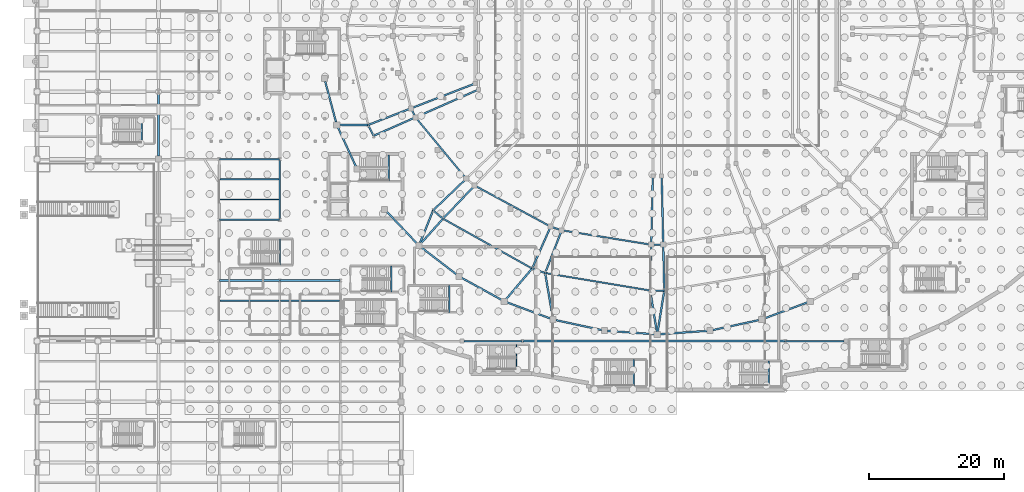
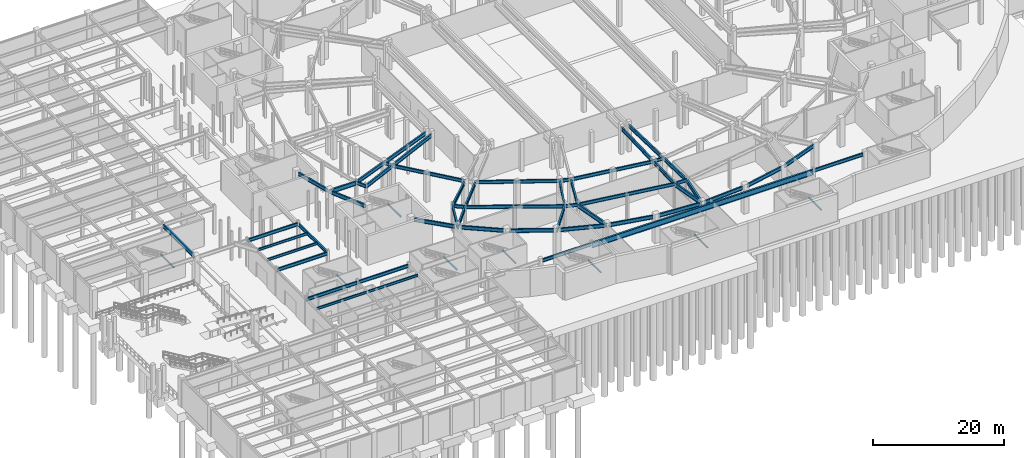
# One storey, part 33 of 56: 63 beams.
"""IFC4 building model written with IfcOpenShell, lengths in metres."""

import ifcopenshell
import ifcopenshell.guid

model = None  # the IFC model being written
_history = None  # IfcOwnerHistory: only IFC2X3 demands one
_inside = {}  # id of a spatial element -> (the spatial element, [elements in it])
_under = {}  # id of a project, library or spatial element -> (it, [spatial elements below it])
_declared = {}  # id of a project -> (the project, [libraries it declares])
_typed = {}  # id of a type object -> (the type object, [elements of that type])
_made_of = {}  # id of a material, layer set ... -> (it, [elements and type objects made of it])


def new_model(schema):
    """Start an empty IFC model of exactly this schema.

    Asked for "IFC4X3", IfcOpenShell would pick the latest addendum, in which some entities
    have other attributes; the version numbers below select the first issue.
    IFC2X3 requires an IfcOwnerHistory on every rooted entity: one is made here for all.
    """
    global model, _history
    if schema == "IFC4X3":
        model = ifcopenshell.file(schema_version=(4, 3, 0, 0))
    else:
        model = ifcopenshell.file(schema=schema)
    _inside.clear()
    _under.clear()
    _declared.clear()
    _typed.clear()
    _made_of.clear()
    _history = None
    if model.schema == "IFC2X3":
        org = make("IfcOrganization", Name="unknown")
        user = make(
            "IfcPersonAndOrganization",
            ThePerson=make("IfcPerson", FamilyName="unknown"),
            TheOrganization=org,
        )
        app = make(
            "IfcApplication",
            ApplicationDeveloper=org,
            Version="unknown",
            ApplicationFullName="unknown",
            ApplicationIdentifier="unknown",
        )
        _history = make(
            "IfcOwnerHistory",
            OwningUser=user,
            OwningApplication=app,
            ChangeAction="ADDED",
            CreationDate=0,
        )
    return model


def make(cls, **values):
    """One entity of the class cls with the attributes given. An attribute that is None is left unset."""
    return model.create_entity(
        cls, **{name: value for name, value in values.items() if value is not None}
    )


def rooted(cls, **values):
    """An entity with a GlobalId (a new one), such as an element, a storey or a relation."""
    return make(cls, GlobalId=ifcopenshell.guid.new(), OwnerHistory=_history, **values)


def si_unit(unit_type, name, prefix=None):
    """IfcSIUnit, for example si_unit("LENGTHUNIT", "METRE", prefix="MILLI")."""
    return make("IfcSIUnit", UnitType=unit_type, Prefix=prefix, Name=name)


def assignment(units):
    """IfcUnitAssignment: the units of a project."""
    return None if units is None else make("IfcUnitAssignment", Units=units)


def point(xyz):
    """IfcCartesianPoint."""
    return None if xyz is None else make("IfcCartesianPoint", Coordinates=xyz)


def direction(xyz):
    """IfcDirection."""
    return None if xyz is None else make("IfcDirection", DirectionRatios=xyz)


def frame(location, z_axis=None, x_axis=None):
    """IfcAxis2Placement3D, a coordinate frame: its origin and axes. An axis left out is left unset."""
    return make(
        "IfcAxis2Placement3D",
        Location=point(location),
        Axis=direction(z_axis),
        RefDirection=direction(x_axis),
    )


def frame_2d(location, x_axis=None):
    """IfcAxis2Placement2D, a coordinate frame in the plane: its origin and x axis."""
    return make(
        "IfcAxis2Placement2D", Location=point(location), RefDirection=direction(x_axis)
    )


def origin():
    """The frame at (0, 0, 0) with its axes left unset."""
    return frame((0.0, 0.0, 0.0))


def origin_2d():
    """The frame at (0, 0) in the plane with its x axis left unset."""
    return frame_2d((0.0, 0.0))


def place(relative_to, where):
    """IfcLocalPlacement: puts the frame where relative to a parent placement (None: the world)."""
    return make(
        "IfcLocalPlacement", PlacementRelTo=relative_to, RelativePlacement=where
    )


def context(
    kind, dimensions, precision=None, world=None, true_north=None, identifier=None
):
    """IfcGeometricRepresentationContext, for example the 3D "Model" context."""
    return make(
        "IfcGeometricRepresentationContext",
        ContextIdentifier=identifier,
        ContextType=kind,
        CoordinateSpaceDimension=dimensions,
        Precision=precision,
        WorldCoordinateSystem=world,
        TrueNorth=true_north,
    )


def subcontext(parent, identifier, kind, view, scale=None):
    """IfcGeometricRepresentationSubContext, for example "Body" below "Model"."""
    return make(
        "IfcGeometricRepresentationSubContext",
        ContextIdentifier=identifier,
        ContextType=kind,
        ParentContext=parent,
        TargetScale=scale,
        TargetView=view,
    )


def project(units=None, contexts=None):
    """IfcProject with its units and contexts."""
    return rooted(
        "IfcProject",
        Name="project",
        RepresentationContexts=contexts,
        UnitsInContext=assignment(units),
    )


def spatial(cls, under=None, at=None, **own):
    """A site, building, storey or space (cls), placed at a placement, below another one or the project."""
    s = rooted(cls, ObjectPlacement=at, **own)
    if under is not None:
        _under.setdefault(under.id(), (under, []))[1].append(s)
    return s


def profile(cls, at=None, kind="AREA", **sizes):
    """A parametric profile (cls). Its sizes go by their IFC names, for example OverallWidth=200.0."""
    return make(cls, ProfileType=kind, Position=at, **sizes)


def hollow_rectangle(**sizes):
    """IfcRectangleHollowProfileDef."""
    return profile("IfcRectangleHollowProfileDef", **sizes)


def i_section(**sizes):
    """IfcIShapeProfileDef."""
    return profile("IfcIShapeProfileDef", **sizes)


def extrude(swept, where, along, depth):
    """IfcExtrudedAreaSolid: the profile swept, set in the frame where, extruded along a direction by depth."""
    return make(
        "IfcExtrudedAreaSolid",
        SweptArea=swept,
        Position=where,
        ExtrudedDirection=direction(along),
        Depth=depth,
    )


def shape(context_of_items, identifier, shape_type, items):
    """IfcShapeRepresentation: the items that make up one representation, for example the "Body"."""
    return make(
        "IfcShapeRepresentation",
        ContextOfItems=context_of_items,
        RepresentationIdentifier=identifier,
        RepresentationType=shape_type,
        Items=items,
    )


def material(Name=None, Category=None):
    """IfcMaterial."""
    return make("IfcMaterial", Name=Name, Category=Category)


def material_profile(
    of_material, cross_section, Name=None, Category=None, Priority=None
):
    """IfcMaterialProfile: a cross section and its material."""
    return make(
        "IfcMaterialProfile",
        Name=Name,
        Material=of_material,
        Profile=cross_section,
        Priority=Priority,
        Category=Category,
    )


def profile_set(profiles, Name=None, composite=None):
    """IfcMaterialProfileSet."""
    return make(
        "IfcMaterialProfileSet",
        Name=Name,
        MaterialProfiles=profiles,
        CompositeProfile=composite,
    )


def made_of(thing, what):
    """Note that an element or type object is made of a material, layer set ...; save() writes the relation."""
    if what is not None:
        _made_of.setdefault(what.id(), (what, []))[1].append(thing)
    return thing


def type_object(cls, material=None, **own):
    """A type object (cls), such as IfcWallType, which elements share."""
    return made_of(rooted(cls, **own), material)


def element(
    cls,
    number,
    at=None,
    inside=None,
    cuts=None,
    type_object=None,
    material=None,
    context=None,
    identifier="Body",
    shape_type=None,
    held_by="IfcProductDefinitionShape",
    body=None,
    shapes=None,
    **own,
):
    """One element of the class cls, such as IfcWall. Its Tag is "e" and its number.

    at: its placement. inside: the storey or other place that contains it. cuts: it is an
    opening in that element (IfcRelVoidsElement). A single representation is given by context,
    identifier, shape_type and body (its items); several are given by shapes. held_by: the class
    of the entity that holds the representations. save() writes the other relations.
    """
    e = rooted(cls, Tag="e%d" % number, ObjectPlacement=at, **own)
    if body is not None:
        shapes = [shape(context, identifier, shape_type, body)]
    if shapes is not None:
        e.Representation = make(held_by, Representations=shapes)
    if inside is not None:
        _inside.setdefault(inside.id(), (inside, []))[1].append(e)
    if cuts is not None:
        rooted(
            "IfcRelVoidsElement", RelatingBuildingElement=cuts, RelatedOpeningElement=e
        )
    if type_object is not None:
        _typed.setdefault(type_object.id(), (type_object, []))[1].append(e)
    return made_of(e, material)


def aggregate(whole, parts):
    """IfcRelAggregates: a whole, such as a stair, and the parts it consists of."""
    return rooted("IfcRelAggregates", RelatingObject=whole, RelatedObjects=parts)


def save(model, path):
    """Write the relations noted so far, then the file.

    IfcRelAggregates (storeys below a building ...), IfcRelContainedInSpatialStructure (elements
    in a storey), IfcRelDefinesByType, IfcRelAssociatesMaterial and IfcRelDeclares: one each for
    every whole, place, type object, material and project.
    """
    for whole, parts in _under.values():
        aggregate(whole, parts)
    for where, things in _inside.values():
        rooted(
            "IfcRelContainedInSpatialStructure",
            RelatedElements=things,
            RelatingStructure=where,
        )
    for kind, things in _typed.values():
        rooted("IfcRelDefinesByType", RelatedObjects=things, RelatingType=kind)
    for what, things in _made_of.values():
        rooted("IfcRelAssociatesMaterial", RelatedObjects=things, RelatingMaterial=what)
    for by, libraries in _declared.values():
        rooted("IfcRelDeclares", RelatingContext=by, RelatedDefinitions=libraries)
    model.write(path)


model = new_model("IFC4")

# Units and contexts
model_context = context("Model", 3, precision=1e-05, world=origin(), true_north=direction((0.0, 1.0)))
body_context = subcontext(model_context, "Body", "Model", "MODEL_VIEW")
ifc_project = project(units=[si_unit("LENGTHUNIT", "METRE"), si_unit("AREAUNIT", "SQUARE_METRE"), si_unit("VOLUMEUNIT", "CUBIC_METRE"), si_unit("PLANEANGLEUNIT", "RADIAN"), si_unit("MASSUNIT", "GRAM", prefix="KILO")], contexts=[model_context])

# Site, building, storey
site_placement = place(None, origin())
site = spatial("IfcSite", under=ifc_project, at=site_placement, CompositionType="ELEMENT")
building_placement = place(site_placement, origin())
building = spatial("IfcBuilding", under=site, at=building_placement, Name="Glasvene Arena", CompositionType="ELEMENT")
storey_placement = place(building_placement, frame((0.0, 0.0, -5.39990234375)))
storey = spatial("IfcBuildingStorey", under=building, at=storey_placement, Name="B1", CompositionType="ELEMENT", Elevation=-5.39990234375)

# Beams
ifc_material = material(Name="Steel S355J2", Category="steel")
ifc_material_profile_1 = material_profile(ifc_material, i_section(OverallWidth=0.300048828125, OverallDepth=1.0, WebThickness=0.0166015625, FlangeThickness=0.031005859375, FilletRadius=0.030029296875, at=origin_2d()), Name="UKB 1016x305x272")
ifc_profile_set_1 = profile_set([ifc_material_profile_1], Name="Steel S355J2")
beam_type_1 = type_object("IfcBeamType", Name="BM-GIRD-1016", PredefinedType="BEAM", material=ifc_profile_set_1)
beam_1_placement = place(storey_placement, frame((72.050048828125, 27.0, 4.539794921875), z_axis=(1.0, 0.0, 0.0), x_axis=(0.0, 1.0, 0.0)))
element("IfcBeam", 1, at=beam_1_placement, inside=storey, type_object=beam_type_1, Name="Primary X girder B1-0027", PredefinedType="BEAM", context=body_context, shape_type="SweptSolid", body=[
    extrude(i_section(OverallWidth=0.300048828125, OverallDepth=1.0, WebThickness=0.0166015625, FlangeThickness=0.031005859375, FilletRadius=0.030029296875, at=origin_2d()), origin(), (0.0, 0.0, 1.0), 38.89990234375),
])
ifc_material_profile_2 = material_profile(ifc_material, i_section(OverallWidth=0.228271484375, OverallDepth=0.607666015625, WebThickness=0.010986328125, FlangeThickness=0.017333984375, FilletRadius=0.0126953125, at=origin_2d()), Name="UKB 610x229x113")
ifc_profile_set_2 = profile_set([ifc_material_profile_2], Name="Steel S355J2")
beam_type_2 = type_object("IfcBeamType", Name="BM-GIRD-610", PredefinedType="BEAM", material=ifc_profile_set_2)
for number, where, z_axis, x_axis, name in (
    (2, (63.294921875, 27.0, 4.736083984375), (1.0, 0.0, 0.0), (0.0, 1.0, 0.0), "Primary X girder B1-0026"),
    (3, (111.050048828125, 27.0, 4.736083984375), (1.0, 0.0, 0.0), (0.0, 1.0, 0.0), "Primary X girder B1-0028"),
):
    element("IfcBeam", number, at=place(storey_placement, frame(where, z_axis=z_axis, x_axis=x_axis)), inside=storey, type_object=beam_type_2, Name=name, PredefinedType="BEAM", context=body_context, shape_type="SweptSolid", body=[
        extrude(i_section(OverallWidth=0.228271484375, OverallDepth=0.607666015625, WebThickness=0.010986328125, FlangeThickness=0.017333984375, FilletRadius=0.0126953125, at=origin_2d()), origin(), (0.0, 0.0, 1.0), 8.655029296875),
    ])
for number, where, z_axis, x_axis, name in (
    (4, (27.050048828125, 36.0, 4.736083984375), (1.0, 0.0, 0.0), (0.0, 1.0, 0.0), "Primary X girder B1-0029"),
    (5, (36.050048828125, 36.0, 4.736083984375), (1.0, 0.0, 0.0), (0.0, 1.0, 0.0), "Primary X girder B1-0030"),
    (6, (27.050048828125, 45.0, 4.736083984375), (1.0, 0.0, 0.0), (0.0, 1.0, 0.0), "Primary X girder B1-0031"),
    (7, (27.050048828125, 54.0, 4.736083984375), (1.0, 0.0, 0.0), (0.0, 1.0, 0.0), "Primary X girder B1-0035"),
):
    element("IfcBeam", number, at=place(storey_placement, frame(where, z_axis=z_axis, x_axis=x_axis)), inside=storey, type_object=beam_type_2, Name=name, PredefinedType="BEAM", context=body_context, shape_type="SweptSolid", body=[
        extrude(i_section(OverallWidth=0.228271484375, OverallDepth=0.607666015625, WebThickness=0.010986328125, FlangeThickness=0.017333984375, FilletRadius=0.0126953125, at=origin_2d()), origin(), (0.0, 0.0, 1.0), 8.89990234375),
    ])
beam_2_placement = place(storey_placement, frame((36.0, 45.185546875, 4.736083984375), z_axis=(0.0, 1.0, 0.0), x_axis=(-1.0, 0.0, 0.0)))
element("IfcBeam", 8, at=beam_2_placement, inside=storey, type_object=beam_type_2, Name="Primary Y girder B1-0131", PredefinedType="BEAM", context=body_context, shape_type="SweptSolid", body=[
    extrude(i_section(OverallWidth=0.228271484375, OverallDepth=0.607666015625, WebThickness=0.010986328125, FlangeThickness=0.017333984375, FilletRadius=0.0126953125, at=origin_2d()), origin(), (0.0, 0.0, 1.0), 8.62890625),
])
beam_3_placement = place(storey_placement, frame((49.113037109375, 59.077392578125, 4.73486328125), z_axis=(0.443576698242, -0.896236415672, 0.0), x_axis=(0.896236415672, 0.443576698242, 0.0)))
element("IfcBeam", 9, at=beam_3_placement, inside=storey, type_object=beam_type_2, Name="Concourse inner ring girder B1-18", PredefinedType="BEAM", context=body_context, shape_type="SweptSolid", body=[
    extrude(i_section(OverallWidth=0.228271484375, OverallDepth=0.607666015625, WebThickness=0.010986328125, FlangeThickness=0.017333984375, FilletRadius=0.0126953125, at=origin_2d()), origin(), (0.0, 0.0, 1.0), 1.80078125),
])
beam_4_placement = place(storey_placement, frame((55.452880859375, 61.53662109375, 4.73486328125), z_axis=(0.455825325707, -0.890069251488, 0.0), x_axis=(0.890069251488, 0.455825325707, 0.0)))
element("IfcBeam", 10, at=beam_4_placement, inside=storey, type_object=beam_type_2, Name="Mid-bowl ring girder B1-18", PredefinedType="BEAM", context=body_context, shape_type="SweptSolid", body=[
    extrude(i_section(OverallWidth=0.228271484375, OverallDepth=0.607666015625, WebThickness=0.010986328125, FlangeThickness=0.017333984375, FilletRadius=0.0126953125, at=origin_2d()), origin(), (0.0, 0.0, 1.0), 1.4931640625),
])
beam_5_placement = place(storey_placement, frame((56.133544921875, 60.20751953125, 4.73486328125), z_axis=(0.636971685607, -0.770887197802, 0.0), x_axis=(0.770887197802, 0.636971685607, 0.0)))
element("IfcBeam", 11, at=beam_5_placement, inside=storey, type_object=beam_type_2, Name="Mid-bowl ring girder B1-19", PredefinedType="BEAM", context=body_context, shape_type="SweptSolid", body=[
    extrude(i_section(OverallWidth=0.228271484375, OverallDepth=0.607666015625, WebThickness=0.010986328125, FlangeThickness=0.017333984375, FilletRadius=0.0126953125, at=origin_2d()), origin(), (0.0, 0.0, 1.0), 11.8154296875),
])
beam_6_placement = place(storey_placement, frame((58.743408203125, 46.40087890625, 4.73486328125), z_axis=(0.766930434436, -0.641730246082, 0.0), x_axis=(0.641730246082, 0.766930434436, 0.0)))
element("IfcBeam", 12, at=beam_6_placement, inside=storey, type_object=beam_type_2, Name="Concourse inner ring girder B1-20", PredefinedType="BEAM", context=body_context, shape_type="SweptSolid", body=[
    extrude(i_section(OverallWidth=0.228271484375, OverallDepth=0.607666015625, WebThickness=0.010986328125, FlangeThickness=0.017333984375, FilletRadius=0.0126953125, at=origin_2d()), origin(), (0.0, 0.0, 1.0), 1.924560546875),
])
beam_7_placement = place(storey_placement, frame((60.219482421875, 45.165771484375, 4.73486328125), z_axis=(0.87279341778, -0.488089796943, 0.0), x_axis=(0.488089796943, 0.87279341778, 0.0)))
element("IfcBeam", 13, at=beam_7_placement, inside=storey, type_object=beam_type_2, Name="Concourse inner ring girder B1-21", PredefinedType="BEAM", context=body_context, shape_type="SweptSolid", body=[
    extrude(i_section(OverallWidth=0.228271484375, OverallDepth=0.607666015625, WebThickness=0.010986328125, FlangeThickness=0.017333984375, FilletRadius=0.0126953125, at=origin_2d()), origin(), (0.0, 0.0, 1.0), 15.14404296875),
])
beam_8_placement = place(storey_placement, frame((64.91748046875, 50.081787109375, 4.73486328125), z_axis=(0.879784979892, -0.475371843042, 0.0), x_axis=(0.475371843042, 0.879784979892, 0.0)))
element("IfcBeam", 14, at=beam_8_placement, inside=storey, type_object=beam_type_2, Name="Mid-bowl ring girder B1-21", PredefinedType="BEAM", context=body_context, shape_type="SweptSolid", body=[
    extrude(i_section(OverallWidth=0.228271484375, OverallDepth=0.607666015625, WebThickness=0.010986328125, FlangeThickness=0.017333984375, FilletRadius=0.0126953125, at=origin_2d()), origin(), (0.0, 0.0, 1.0), 12.802490234375),
])
beam_9_placement = place(storey_placement, frame((73.43701171875, 37.774169921875, 4.73486328125), z_axis=(0.944798184006, -0.327652852114, 0.0), x_axis=(0.327652852114, 0.944798184006, 0.0)))
element("IfcBeam", 15, at=beam_9_placement, inside=storey, type_object=beam_type_2, Name="Concourse inner ring girder B1-22", PredefinedType="BEAM", context=body_context, shape_type="SweptSolid", body=[
    extrude(i_section(OverallWidth=0.228271484375, OverallDepth=0.607666015625, WebThickness=0.010986328125, FlangeThickness=0.017333984375, FilletRadius=0.0126953125, at=origin_2d()), origin(), (0.0, 0.0, 1.0), 2.040771484375),
])
beam_10_placement = place(storey_placement, frame((76.180908203125, 43.995849609375, 4.73486328125), z_axis=(0.948203248213, -0.317664288326, 0.0), x_axis=(0.317664288326, 0.948203248213, 0.0)))
element("IfcBeam", 16, at=beam_10_placement, inside=storey, type_object=beam_type_2, Name="Mid-bowl ring girder B1-22", PredefinedType="BEAM", context=body_context, shape_type="SweptSolid", body=[
    extrude(i_section(OverallWidth=0.228271484375, OverallDepth=0.607666015625, WebThickness=0.010986328125, FlangeThickness=0.017333984375, FilletRadius=0.0126953125, at=origin_2d()), origin(), (0.0, 0.0, 1.0), 1.733154296875),
])
beam_11_placement = place(storey_placement, frame((75.365234375, 37.10546875, 4.73486328125), z_axis=(0.986425216298, -0.164211122194, 0.0), x_axis=(0.164211122194, 0.986425216298, 0.0)))
element("IfcBeam", 17, at=beam_11_placement, inside=storey, type_object=beam_type_2, Name="Concourse inner ring girder B1-23", PredefinedType="BEAM", context=body_context, shape_type="SweptSolid", body=[
    extrude(i_section(OverallWidth=0.228271484375, OverallDepth=0.607666015625, WebThickness=0.010986328125, FlangeThickness=0.017333984375, FilletRadius=0.0126953125, at=origin_2d()), origin(), (0.0, 0.0, 1.0), 15.8056640625),
])
beam_12_placement = place(storey_placement, frame((77.82421875, 43.4453125, 4.73486328125), z_axis=(0.987308283351, -0.15881547036, 0.0), x_axis=(0.15881547036, 0.987308283351, 0.0)))
element("IfcBeam", 18, at=beam_12_placement, inside=storey, type_object=beam_type_2, Name="Mid-bowl ring girder B1-23", PredefinedType="BEAM", context=body_context, shape_type="SweptSolid", body=[
    extrude(i_section(OverallWidth=0.228271484375, OverallDepth=0.607666015625, WebThickness=0.010986328125, FlangeThickness=0.017333984375, FilletRadius=0.0126953125, at=origin_2d()), origin(), (0.0, 0.0, 1.0), 13.457275390625),
])
beam_13_placement = place(storey_placement, frame((90.956298828125, 34.510009765625, 4.73486328125), z_axis=(1.0, 0.0, 0.0), x_axis=(0.0, 1.0, 0.0)))
element("IfcBeam", 19, at=beam_13_placement, inside=storey, type_object=beam_type_2, Name="Concourse inner ring girder B1-24", PredefinedType="BEAM", context=body_context, shape_type="SweptSolid", body=[
    extrude(i_section(OverallWidth=0.228271484375, OverallDepth=0.607666015625, WebThickness=0.010986328125, FlangeThickness=0.017333984375, FilletRadius=0.0126953125, at=origin_2d()), origin(), (0.0, 0.0, 1.0), 2.08740234375),
])
beam_14_placement = place(storey_placement, frame((91.110595703125, 41.30810546875, 4.73486328125), z_axis=(1.0, 0.0, 0.0), x_axis=(0.0, 1.0, 0.0)))
element("IfcBeam", 20, at=beam_14_placement, inside=storey, type_object=beam_type_2, Name="Mid-bowl ring girder B1-24", PredefinedType="BEAM", context=body_context, shape_type="SweptSolid", body=[
    extrude(i_section(OverallWidth=0.228271484375, OverallDepth=0.607666015625, WebThickness=0.010986328125, FlangeThickness=0.017333984375, FilletRadius=0.0126953125, at=origin_2d()), origin(), (0.0, 0.0, 1.0), 1.77880859375),
])
ifc_material_profile_3 = material_profile(ifc_material, i_section(OverallWidth=0.253662109375, OverallDepth=0.68359375, WebThickness=0.012451171875, FlangeThickness=0.01904296875, FilletRadius=0.01513671875, at=origin_2d()), Name="UKB 686x254x140")
ifc_profile_set_3 = profile_set([ifc_material_profile_3], Name="Steel S355J2")
beam_type_3 = type_object("IfcBeamType", Name="BM-GIRD-686", PredefinedType="BEAM", material=ifc_profile_set_3)
beam_15_placement = place(storey_placement, frame((18.0, 54.445068359375, 4.6982421875), z_axis=(0.0, 1.0, 0.0), x_axis=(-1.0, 0.0, 0.0)))
element("IfcBeam", 21, at=beam_15_placement, inside=storey, type_object=beam_type_3, Name="Primary Y girder B1-0108", PredefinedType="BEAM", context=body_context, shape_type="SweptSolid", body=[
    extrude(i_section(OverallWidth=0.253662109375, OverallDepth=0.68359375, WebThickness=0.012451171875, FlangeThickness=0.01904296875, FilletRadius=0.01513671875, at=origin_2d()), origin(), (0.0, 0.0, 1.0), 9.369384765625),
])
beam_16_placement = place(storey_placement, frame((42.723876953125, 65.5546875, 4.6982421875), z_axis=(0.257723273136, -0.966218771544, 0.0), x_axis=(0.966218771544, 0.257723273136, 0.0)))
element("IfcBeam", 22, at=beam_16_placement, inside=storey, type_object=beam_type_3, Name="Bowl ring chord beam B1-22", PredefinedType="BEAM", context=body_context, shape_type="SweptSolid", body=[
    extrude(i_section(OverallWidth=0.253662109375, OverallDepth=0.68359375, WebThickness=0.012451171875, FlangeThickness=0.01904296875, FilletRadius=0.01513671875, at=origin_2d()), origin(), (0.0, 0.0, 1.0), 6.266357421875),
])
beam_17_placement = place(storey_placement, frame((44.622802734375, 58.712646484375, 4.6982421875), z_axis=(0.418091163951, -0.908405074087, 0.0), x_axis=(0.908405074087, 0.418091163951, 0.0)))
element("IfcBeam", 23, at=beam_17_placement, inside=storey, type_object=beam_type_3, Name="Bowl ring chord beam B1-23", PredefinedType="BEAM", context=body_context, shape_type="SweptSolid", body=[
    extrude(i_section(OverallWidth=0.253662109375, OverallDepth=0.68359375, WebThickness=0.012451171875, FlangeThickness=0.01904296875, FilletRadius=0.01513671875, at=origin_2d()), origin(), (0.0, 0.0, 1.0), 6.341552734375),
])
beam_18_placement = place(storey_placement, frame((51.83837890625, 46.2451171875, 4.6982421875), z_axis=(0.688356315458, -0.725372720034, 0.0), x_axis=(0.725372720034, 0.688356315458, 0.0)))
element("IfcBeam", 24, at=beam_18_placement, inside=storey, type_object=beam_type_3, Name="Bowl ring chord beam B1-25", PredefinedType="BEAM", context=body_context, shape_type="SweptSolid", body=[
    extrude(i_section(OverallWidth=0.253662109375, OverallDepth=0.68359375, WebThickness=0.012451171875, FlangeThickness=0.01904296875, FilletRadius=0.01513671875, at=origin_2d()), origin(), (0.0, 0.0, 1.0), 6.5625),
])
beam_19_placement = place(storey_placement, frame((56.977783203125, 40.92431640625, 4.6982421875), z_axis=(0.792808596744, -0.60947069571, 0.0), x_axis=(0.60947069571, 0.792808596744, 0.0)))
element("IfcBeam", 25, at=beam_19_placement, inside=storey, type_object=beam_type_3, Name="Bowl ring chord beam B1-26", PredefinedType="BEAM", context=body_context, shape_type="SweptSolid", body=[
    extrude(i_section(OverallWidth=0.253662109375, OverallDepth=0.68359375, WebThickness=0.012451171875, FlangeThickness=0.01904296875, FilletRadius=0.01513671875, at=origin_2d()), origin(), (0.0, 0.0, 1.0), 6.684814453125),
])
beam_20_placement = place(storey_placement, frame((62.978515625, 36.391357421875, 4.6982421875), z_axis=(0.875645230087, -0.482954895436, 0.0), x_axis=(0.482954895436, 0.875645230087, 0.0)))
element("IfcBeam", 26, at=beam_20_placement, inside=storey, type_object=beam_type_3, Name="Bowl ring chord beam B1-27", PredefinedType="BEAM", context=body_context, shape_type="SweptSolid", body=[
    extrude(i_section(OverallWidth=0.253662109375, OverallDepth=0.68359375, WebThickness=0.012451171875, FlangeThickness=0.01904296875, FilletRadius=0.01513671875, at=origin_2d()), origin(), (0.0, 0.0, 1.0), 6.799560546875),
])
beam_21_placement = place(storey_placement, frame((69.694091796875, 32.758056640625, 4.6982421875), z_axis=(0.937003971107, -0.349318705668, 0.0), x_axis=(0.349318705668, 0.937003971107, 0.0)))
element("IfcBeam", 27, at=beam_21_placement, inside=storey, type_object=beam_type_3, Name="Bowl ring chord beam B1-28", PredefinedType="BEAM", context=body_context, shape_type="SweptSolid", body=[
    extrude(i_section(OverallWidth=0.253662109375, OverallDepth=0.68359375, WebThickness=0.012451171875, FlangeThickness=0.01904296875, FilletRadius=0.01513671875, at=origin_2d()), origin(), (0.0, 0.0, 1.0), 6.89599609375),
])
beam_22_placement = place(storey_placement, frame((76.959716796875, 30.11376953125, 4.6982421875), z_axis=(0.977438814508, -0.211218758382, 0.0), x_axis=(0.211218758382, 0.977438814508, 0.0)))
element("IfcBeam", 28, at=beam_22_placement, inside=storey, type_object=beam_type_3, Name="Bowl ring chord beam B1-29", PredefinedType="BEAM", context=body_context, shape_type="SweptSolid", body=[
    extrude(i_section(OverallWidth=0.253662109375, OverallDepth=0.68359375, WebThickness=0.012451171875, FlangeThickness=0.01904296875, FilletRadius=0.01513671875, at=origin_2d()), origin(), (0.0, 0.0, 1.0), 6.96533203125),
])
for number, where, z_axis, x_axis, name in (
    (29, (84.597412109375, 28.5244140625, 4.6982421875), (0.997501181168, -0.070649795247, 0.0), (0.070649795247, 0.997501181168, 0.0), "Bowl ring chord beam B1-30"),
    (30, (92.4189453125, 28.02978515625, 4.6982421875), (0.997501181168, 0.070649795247, 0.0), (-0.070649795247, 0.997501181168, 0.0), "Bowl ring chord beam B1-31"),
):
    element("IfcBeam", number, at=place(storey_placement, frame(where, z_axis=z_axis, x_axis=x_axis)), inside=storey, type_object=beam_type_3, Name=name, PredefinedType="BEAM", context=body_context, shape_type="SweptSolid", body=[
        extrude(i_section(OverallWidth=0.253662109375, OverallDepth=0.68359375, WebThickness=0.012451171875, FlangeThickness=0.01904296875, FilletRadius=0.01513671875, at=origin_2d()), origin(), (0.0, 0.0, 1.0), 7.001220703125),
    ])
beam_23_placement = place(storey_placement, frame((100.232177734375, 28.642578125, 4.6982421875), z_axis=(0.977438814508, 0.211218758382, 0.0), x_axis=(-0.211218758382, 0.977438814508, 0.0)))
element("IfcBeam", 31, at=beam_23_placement, inside=storey, type_object=beam_type_3, Name="Bowl ring chord beam B1-32", PredefinedType="BEAM", context=body_context, shape_type="SweptSolid", body=[
    extrude(i_section(OverallWidth=0.253662109375, OverallDepth=0.68359375, WebThickness=0.012451171875, FlangeThickness=0.01904296875, FilletRadius=0.01513671875, at=origin_2d()), origin(), (0.0, 0.0, 1.0), 6.96533203125),
])
beam_24_placement = place(storey_placement, frame((107.84423828125, 30.34912109375, 4.6982421875), z_axis=(0.937003971107, 0.349318705668, 0.0), x_axis=(-0.349318705668, 0.937003971107, 0.0)))
element("IfcBeam", 32, at=beam_24_placement, inside=storey, type_object=beam_type_3, Name="Bowl ring chord beam B1-33", PredefinedType="BEAM", context=body_context, shape_type="SweptSolid", body=[
    extrude(i_section(OverallWidth=0.253662109375, OverallDepth=0.68359375, WebThickness=0.012451171875, FlangeThickness=0.01904296875, FilletRadius=0.01513671875, at=origin_2d()), origin(), (0.0, 0.0, 1.0), 6.89599609375),
])
for number, where, z_axis, x_axis, name in (
    (33, (55.452880859375, 61.53662109375, 4.697998046875), (-0.932315610983, -0.361645685052, 0.0), (0.361645685052, -0.932315610983, 0.0), "Mid-to-rear radial girder B1-18"),
    (34, (56.133544921875, 60.20751953125, 4.697998046875), (-0.914956794247, -0.40355181162, 0.0), (0.40355181162, -0.914956794247, 0.0), "Mid-to-rear radial girder B1-19"),
):
    element("IfcBeam", number, at=place(storey_placement, frame(where, z_axis=z_axis, x_axis=x_axis)), inside=storey, type_object=beam_type_3, Name=name, PredefinedType="BEAM", context=body_context, shape_type="SweptSolid", body=[
        extrude(i_section(OverallWidth=0.253662109375, OverallDepth=0.68359375, WebThickness=0.012451171875, FlangeThickness=0.01904296875, FilletRadius=0.01513671875, at=origin_2d()), origin(), (0.0, 0.0, 1.0), 6.800048828125),
    ])
beam_25_placement = place(storey_placement, frame((63.65966796875, 51.09912109375, 4.697998046875), z_axis=(-0.722955223934, -0.690894886496, 0.0), x_axis=(0.690894886496, -0.722955223934, 0.0)))
element("IfcBeam", 35, at=beam_25_placement, inside=storey, type_object=beam_type_3, Name="Mid-to-rear radial girder B1-20", PredefinedType="BEAM", context=body_context, shape_type="SweptSolid", body=[
    extrude(i_section(OverallWidth=0.253662109375, OverallDepth=0.68359375, WebThickness=0.012451171875, FlangeThickness=0.01904296875, FilletRadius=0.01513671875, at=origin_2d()), origin(), (0.0, 0.0, 1.0), 6.80029296875),
])
for number, where, z_axis, x_axis, name in (
    (36, (64.91748046875, 50.081787109375, 4.697998046875), (-0.690894054314, -0.722956019211, 0.0), (0.722956019211, -0.690894054314, 0.0), "Mid-to-rear radial girder B1-21"),
    (37, (76.180908203125, 43.995849609375, 4.697998046875), (-0.403521754761, -0.914970050567, 0.0), (0.914970050567, -0.403521754761, 0.0), "Mid-to-rear radial girder B1-22"),
):
    element("IfcBeam", number, at=place(storey_placement, frame(where, z_axis=z_axis, x_axis=x_axis)), inside=storey, type_object=beam_type_3, Name=name, PredefinedType="BEAM", context=body_context, shape_type="SweptSolid", body=[
        extrude(i_section(OverallWidth=0.253662109375, OverallDepth=0.68359375, WebThickness=0.012451171875, FlangeThickness=0.01904296875, FilletRadius=0.01513671875, at=origin_2d()), origin(), (0.0, 0.0, 1.0), 6.7998046875),
    ])
beam_26_placement = place(storey_placement, frame((77.82421875, 43.4453125, 4.697998046875), z_axis=(-0.361614477563, -0.932327715783, 0.0), x_axis=(0.932327715783, -0.361614477563, 0.0)))
element("IfcBeam", 38, at=beam_26_placement, inside=storey, type_object=beam_type_3, Name="Mid-to-rear radial girder B1-23", PredefinedType="BEAM", context=body_context, shape_type="SweptSolid", body=[
    extrude(i_section(OverallWidth=0.253662109375, OverallDepth=0.68359375, WebThickness=0.012451171875, FlangeThickness=0.01904296875, FilletRadius=0.01513671875, at=origin_2d()), origin(), (0.0, 0.0, 1.0), 6.800048828125),
])
for number, where, z_axis, x_axis, name in (
    (39, (91.110595703125, 41.30810546875, 4.697998046875), (-0.022691229062, -0.999742520914, 0.0), (0.999742520914, -0.022691229062, 0.0), "Mid-to-rear radial girder B1-24"),
    (40, (92.889404296875, 41.30810546875, 4.697998046875), (0.022691229062, -0.999742520914, 0.0), (0.999742520914, 0.022691229062, 0.0), "Mid-to-rear radial girder B1-25"),
):
    element("IfcBeam", number, at=place(storey_placement, frame(where, z_axis=z_axis, x_axis=x_axis)), inside=storey, type_object=beam_type_3, Name=name, PredefinedType="BEAM", context=body_context, shape_type="SweptSolid", body=[
        extrude(i_section(OverallWidth=0.253662109375, OverallDepth=0.68359375, WebThickness=0.012451171875, FlangeThickness=0.01904296875, FilletRadius=0.01513671875, at=origin_2d()), origin(), (0.0, 0.0, 1.0), 6.7998046875),
    ])
beam_27_placement = place(storey_placement, frame((64.962646484375, 65.22509765625, 4.697998046875), z_axis=(-0.932327715783, -0.361614477563, 0.0), x_axis=(0.361614477563, -0.932327715783, 0.0)))
element("IfcBeam", 41, at=beam_27_placement, inside=storey, type_object=beam_type_3, Name="Pitch-to-mid basement girder 18", PredefinedType="BEAM", context=body_context, shape_type="SweptSolid", body=[
    extrude(i_section(OverallWidth=0.253662109375, OverallDepth=0.68359375, WebThickness=0.012451171875, FlangeThickness=0.01904296875, FilletRadius=0.01513671875, at=origin_2d()), origin(), (0.0, 0.0, 1.0), 10.199951171875),
])
for number, where, z_axis, x_axis, name in (
    (42, (65.46630859375, 64.32373046875, 4.697998046875), (-0.914960692105, -0.403542974047, 0.0), (0.403542974047, -0.914960692105, 0.0), "Pitch-to-mid basement girder 19"),
    (43, (91.342041015625, 51.505615234375, 4.697998046875), (-0.022690414598, -0.9997425394, 0.0), (0.9997425394, -0.022690414598, 0.0), "Pitch-to-mid basement girder 24"),
    (44, (92.657958984375, 51.505615234375, 4.697998046875), (0.022690414598, -0.9997425394, 0.0), (0.9997425394, 0.022690414598, 0.0), "Pitch-to-mid basement girder 25"),
):
    element("IfcBeam", number, at=place(storey_placement, frame(where, z_axis=z_axis, x_axis=x_axis)), inside=storey, type_object=beam_type_3, Name=name, PredefinedType="BEAM", context=body_context, shape_type="SweptSolid", body=[
        extrude(i_section(OverallWidth=0.253662109375, OverallDepth=0.68359375, WebThickness=0.012451171875, FlangeThickness=0.01904296875, FilletRadius=0.01513671875, at=origin_2d()), origin(), (0.0, 0.0, 1.0), 10.2001953125),
    ])
ifc_material_profile_4 = material_profile(ifc_material, i_section(OverallWidth=0.2666015625, OverallDepth=0.76220703125, WebThickness=0.014404296875, FlangeThickness=0.021484375, FilletRadius=0.0166015625, at=origin_2d()), Name="UKB 762x267x173")
ifc_profile_set_4 = profile_set([ifc_material_profile_4], Name="Steel S355J2")
beam_type_4 = type_object("IfcBeamType", Name="BM-GIRD-762", PredefinedType="BEAM", material=ifc_profile_set_4)
beam_28_placement = place(storey_placement, frame((49.113037109375, 59.077392578125, 4.65869140625), z_axis=(-0.999993482259, 0.003610462575, 0.0), x_axis=(-0.003610462575, -0.999993482259, 0.0)))
element("IfcBeam", 45, at=beam_28_placement, inside=storey, type_object=beam_type_4, Name="Radial concourse girder B1-18", PredefinedType="BEAM", context=body_context, shape_type="SweptSolid", body=[
    extrude(i_section(OverallWidth=0.2666015625, OverallDepth=0.76220703125, WebThickness=0.014404296875, FlangeThickness=0.021484375, FilletRadius=0.0166015625, at=origin_2d()), origin(), (0.0, 0.0, 1.0), 4.665771484375),
])
beam_29_placement = place(storey_placement, frame((58.743408203125, 46.40087890625, 4.65869140625), z_axis=(-0.372976095384, -0.927840952034, 0.0), x_axis=(0.927840952034, -0.372976095384, 0.0)))
element("IfcBeam", 46, at=beam_29_placement, inside=storey, type_object=beam_type_4, Name="Radial concourse girder B1-20", PredefinedType="BEAM", context=body_context, shape_type="SweptSolid", body=[
    extrude(i_section(OverallWidth=0.2666015625, OverallDepth=0.76220703125, WebThickness=0.014404296875, FlangeThickness=0.021484375, FilletRadius=0.0166015625, at=origin_2d()), origin(), (0.0, 0.0, 1.0), 5.626708984375),
])
beam_30_placement = place(storey_placement, frame((60.219482421875, 45.165771484375, 4.65869140625), z_axis=(-0.667691455448, -0.744438123904, 0.0), x_axis=(0.744438123904, -0.667691455448, 0.0)))
element("IfcBeam", 47, at=beam_30_placement, inside=storey, type_object=beam_type_4, Name="Radial concourse girder B1-21", PredefinedType="BEAM", context=body_context, shape_type="SweptSolid", body=[
    extrude(i_section(OverallWidth=0.2666015625, OverallDepth=0.76220703125, WebThickness=0.014404296875, FlangeThickness=0.021484375, FilletRadius=0.0166015625, at=origin_2d()), origin(), (0.0, 0.0, 1.0), 5.353759765625),
])
beam_31_placement = place(storey_placement, frame((73.43701171875, 37.774169921875, 4.65869140625), z_axis=(-0.647421006623, -0.762132560768, 0.0), x_axis=(0.762132560768, -0.647421006623, 0.0)))
element("IfcBeam", 48, at=beam_31_placement, inside=storey, type_object=beam_type_4, Name="Radial concourse girder B1-22", PredefinedType="BEAM", context=body_context, shape_type="SweptSolid", body=[
    extrude(i_section(OverallWidth=0.2666015625, OverallDepth=0.76220703125, WebThickness=0.014404296875, FlangeThickness=0.021484375, FilletRadius=0.0166015625, at=origin_2d()), origin(), (0.0, 0.0, 1.0), 6.38916015625),
])
beam_32_placement = place(storey_placement, frame((75.365234375, 37.10546875, 4.65869140625), z_axis=(0.169060564867, -0.985605664253, 0.0), x_axis=(0.985605664253, 0.169060564867, 0.0)))
element("IfcBeam", 49, at=beam_32_placement, inside=storey, type_object=beam_type_4, Name="Radial concourse girder B1-23", PredefinedType="BEAM", context=body_context, shape_type="SweptSolid", body=[
    extrude(i_section(OverallWidth=0.2666015625, OverallDepth=0.76220703125, WebThickness=0.014404296875, FlangeThickness=0.021484375, FilletRadius=0.0166015625, at=origin_2d()), origin(), (0.0, 0.0, 1.0), 7.00390625),
])
for number, where, z_axis, x_axis, name in (
    (50, (90.956298828125, 34.510009765625, 4.65869140625), (0.158300997848, -0.987390902369, 0.0), (0.987390902369, 0.158300997848, 0.0), "Radial concourse girder B1-24"),
    (51, (93.043701171875, 34.510009765625, 4.65869140625), (-0.158300997848, -0.987390902369, 0.0), (0.987390902369, -0.158300997848, 0.0), "Radial concourse girder B1-25"),
):
    element("IfcBeam", number, at=place(storey_placement, frame(where, z_axis=z_axis, x_axis=x_axis)), inside=storey, type_object=beam_type_4, Name=name, PredefinedType="BEAM", context=body_context, shape_type="SweptSolid", body=[
        extrude(i_section(OverallWidth=0.2666015625, OverallDepth=0.76220703125, WebThickness=0.014404296875, FlangeThickness=0.021484375, FilletRadius=0.0166015625, at=origin_2d()), origin(), (0.0, 0.0, 1.0), 6.59326171875),
    ])
ifc_material_profile_5 = material_profile(ifc_material, i_section(OverallWidth=0.1904296875, OverallDepth=0.45703125, WebThickness=0.009033203125, FlangeThickness=0.014404296875, FilletRadius=0.01025390625, at=origin_2d()), Name="UKB 457x191x74")
ifc_profile_set_5 = profile_set([ifc_material_profile_5], Name="Steel S355J2")
beam_type_5 = type_object("IfcBeamType", Name="BM-JOIST-457", PredefinedType="JOIST", material=ifc_profile_set_5)
for number, where, z_axis, x_axis, name in (
    (52, (27.095947265625, 33.0, 4.8115234375), (1.0, 0.0, 0.0), (0.0, 1.0, 0.0), "Composite floor joist B1-0229"),
    (53, (27.095947265625, 48.0, 4.8115234375), (1.0, 0.0, 0.0), (0.0, 1.0, 0.0), "Composite floor joist B1-0230"),
    (54, (27.095947265625, 51.0, 4.8115234375), (1.0, 0.0, 0.0), (0.0, 1.0, 0.0), "Composite floor joist B1-0231"),
):
    element("IfcBeam", number, at=place(storey_placement, frame(where, z_axis=z_axis, x_axis=x_axis)), inside=storey, type_object=beam_type_5, Name=name, PredefinedType="JOIST", context=body_context, shape_type="SweptSolid", body=[
        extrude(i_section(OverallWidth=0.1904296875, OverallDepth=0.45703125, WebThickness=0.009033203125, FlangeThickness=0.014404296875, FilletRadius=0.01025390625, at=origin_2d()), origin(), (0.0, 0.0, 1.0), 8.7939453125),
    ])
beam_33_placement = place(storey_placement, frame((36.110107421875, 33.0, 4.8115234375), z_axis=(1.0, 0.0, 0.0), x_axis=(0.0, 1.0, 0.0)))
element("IfcBeam", 55, at=beam_33_placement, inside=storey, type_object=beam_type_5, Name="Composite floor joist B1-0243", PredefinedType="JOIST", context=body_context, shape_type="SweptSolid", body=[
    extrude(i_section(OverallWidth=0.1904296875, OverallDepth=0.45703125, WebThickness=0.009033203125, FlangeThickness=0.014404296875, FilletRadius=0.01025390625, at=origin_2d()), origin(), (0.0, 0.0, 1.0), 8.77978515625),
])
ifc_material_profile_6 = material_profile(ifc_material, hollow_rectangle(XDim=0.199951171875, YDim=0.199951171875, WallThickness=0.010009765625, at=origin_2d()), Name="SHS 200x200x10.0")
ifc_profile_set_6 = profile_set([ifc_material_profile_6], Name="Steel S355J2")
beam_type_6 = type_object("IfcBeamType", Name="BM-LINTEL-200", PredefinedType="LINTEL", material=ifc_profile_set_6)
beam_34_placement = place(storey_placement, frame((52.169921875, 50.72998046875, 2.3798828125), z_axis=(0.0, 1.0, 0.0), x_axis=(-1.0, 0.0, 0.0)))
element("IfcBeam", 56, at=beam_34_placement, inside=storey, type_object=beam_type_6, Name="Stair half-landing support beam ST-03-B1", PredefinedType="LINTEL", context=body_context, shape_type="SweptSolid", body=[
    extrude(hollow_rectangle(XDim=0.199951171875, YDim=0.199951171875, WallThickness=0.010009765625, at=origin_2d()), origin(), (0.0, 0.0, 1.0), 3.89013671875),
])
beam_35_placement = place(storey_placement, frame((52.52001953125, 34.280029296875, 2.3798828125), z_axis=(0.0, 1.0, 0.0), x_axis=(-1.0, 0.0, 0.0)))
element("IfcBeam", 57, at=beam_35_placement, inside=storey, type_object=beam_type_6, Name="Stair half-landing support beam ST-05-B1", PredefinedType="LINTEL", context=body_context, shape_type="SweptSolid", body=[
    extrude(hollow_rectangle(XDim=0.199951171875, YDim=0.199951171875, WallThickness=0.010009765625, at=origin_2d()), origin(), (0.0, 0.0, 1.0), 3.889892578125),
])
for number, where, z_axis, x_axis, name in (
    (58, (71.1201171875, 22.679931640625, 2.3798828125), (0.0, 1.0, 0.0), (-1.0, 0.0, 0.0), "Stair half-landing support beam ST-08-B1"),
    (59, (108.52001953125, 20.280029296875, 2.3798828125), (0.0, 1.0, 0.0), (-1.0, 0.0, 0.0), "Stair half-landing support beam ST-09-B1"),
):
    element("IfcBeam", number, at=place(storey_placement, frame(where, z_axis=z_axis, x_axis=x_axis)), inside=storey, type_object=beam_type_6, Name=name, PredefinedType="LINTEL", context=body_context, shape_type="SweptSolid", body=[
        extrude(hollow_rectangle(XDim=0.199951171875, YDim=0.199951171875, WallThickness=0.010009765625, at=origin_2d()), origin(), (0.0, 0.0, 1.0), 3.7900390625),
    ])
beam_36_placement = place(storey_placement, frame((15.52001953125, 56.280029296875, 2.3798828125), z_axis=(0.0, 1.0, 0.0), x_axis=(-1.0, 0.0, 0.0)))
element("IfcBeam", 60, at=beam_36_placement, inside=storey, type_object=beam_type_6, Name="Stair half-landing support beam ST-13-B1", PredefinedType="LINTEL", context=body_context, shape_type="SweptSolid", body=[
    extrude(hollow_rectangle(XDim=0.199951171875, YDim=0.199951171875, WallThickness=0.010009765625, at=origin_2d()), origin(), (0.0, 0.0, 1.0), 3.989990234375),
])
beam_37_placement = place(storey_placement, frame((36.02001953125, 38.280029296875, 2.3798828125), z_axis=(0.0, 1.0, 0.0), x_axis=(-1.0, 0.0, 0.0)))
element("IfcBeam", 61, at=beam_37_placement, inside=storey, type_object=beam_type_6, Name="Stair half-landing support beam ST-15-B1", PredefinedType="LINTEL", context=body_context, shape_type="SweptSolid", body=[
    extrude(hollow_rectangle(XDim=0.199951171875, YDim=0.199951171875, WallThickness=0.010009765625, at=origin_2d()), origin(), (0.0, 0.0, 1.0), 3.889892578125),
])
for number, where, z_axis, x_axis, name in (
    (62, (61.1201171875, 31.280029296875, 2.3798828125), (0.0, 1.0, 0.0), (-1.0, 0.0, 0.0), "Stair half-landing support beam ST-B06-B1"),
    (63, (88.52001953125, 20.280029296875, 2.3798828125), (0.0, 1.0, 0.0), (-1.0, 0.0, 0.0), "Stair half-landing support beam ST-B08-B1"),
):
    element("IfcBeam", number, at=place(storey_placement, frame(where, z_axis=z_axis, x_axis=x_axis)), inside=storey, type_object=beam_type_6, Name=name, PredefinedType="LINTEL", context=body_context, shape_type="SweptSolid", body=[
        extrude(hollow_rectangle(XDim=0.199951171875, YDim=0.199951171875, WallThickness=0.010009765625, at=origin_2d()), origin(), (0.0, 0.0, 1.0), 3.989990234375),
    ])

save(model, "model.ifc")
